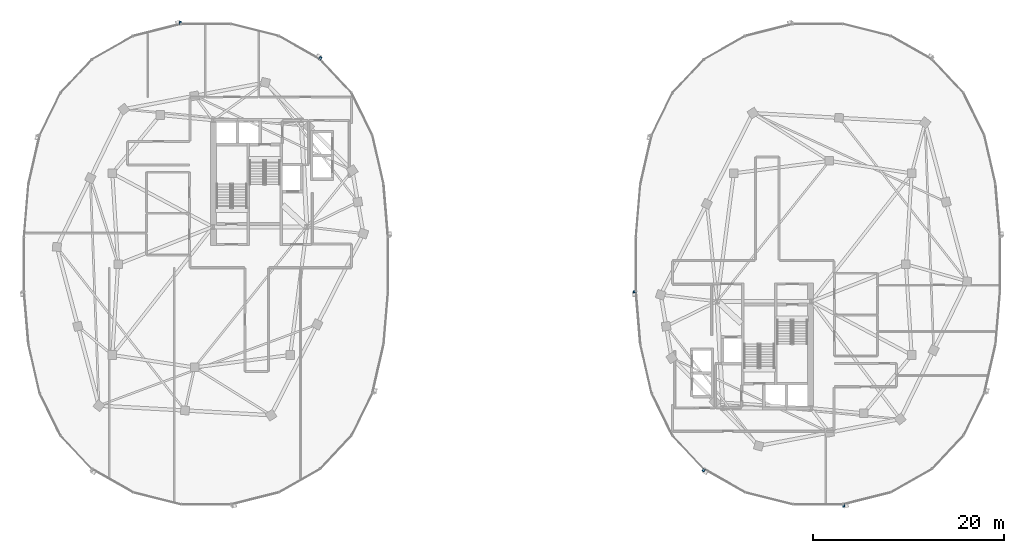
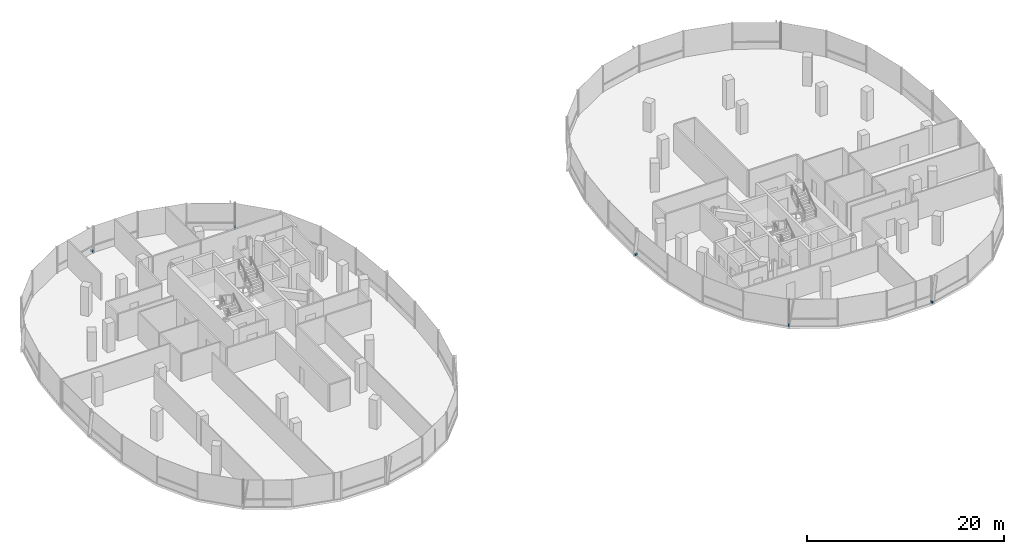
# One storey, part 19 of 25: 5 discrete accessories.
"""IFC4 building model written with IfcOpenShell, lengths in metres."""

from ifc_helpers import new_model, si_unit, direction, frame, origin, origin_2d, place, context, subcontext, project, spatial, rectangle, extrude, material, type_object, element, save


model = new_model("IFC4")

# Units and contexts
model_context = context("Model", 3, precision=1e-05, world=origin(), true_north=direction((0.0, 1.0)))
body_context = subcontext(model_context, "Body", "Model", "MODEL_VIEW")
ifc_project = project(units=[si_unit("LENGTHUNIT", "METRE"), si_unit("AREAUNIT", "SQUARE_METRE"), si_unit("VOLUMEUNIT", "CUBIC_METRE"), si_unit("PLANEANGLEUNIT", "RADIAN"), si_unit("MASSUNIT", "GRAM", prefix="KILO"), si_unit("THERMODYNAMICTEMPERATUREUNIT", "KELVIN"), si_unit("POWERUNIT", "WATT")], contexts=[model_context])

# Site, building, storey
site_placement = place(None, origin())
site = spatial("IfcSite", under=ifc_project, at=site_placement, CompositionType="ELEMENT")
building_placement = place(site_placement, origin())
building = spatial("IfcBuilding", under=site, at=building_placement, Name="Cundina Bronze Exchange", CompositionType="ELEMENT")
storey_placement = place(building_placement, frame((0.0, 0.0, 199.0)))
storey = spatial("IfcBuildingStorey", under=building, at=storey_placement, Name="L52", CompositionType="ELEMENT", Elevation=199.0)

# Discrete accessories
ifc_material = material(Name="Anodised Bronze Aluminium 6063-T6", Category="aluminium")
discrete_accessory_type = type_object("IfcDiscreteAccessoryType", Name="ACC-BRK-FIN", PredefinedType="BRACKET", material=ifc_material)
for number, where, z_axis, x_axis, name in (
    (1, (-20.038818359375, 21.539794921875, 0.10009765625), (0.0, 0.0, 1.0), (-0.869572506985, 0.493805280547, 0.0), "L52 Fin Support Bracket 5"),
    (2, (-34.678955078125, 25.23779296875, 0.10009765625), (0.0, 0.0, 1.0), (-0.969731542251, -0.244173577528, 0.0), "L52 Fin Support Bracket 1"),
    (3, (12.84521484375, -2.893798828125, 0.10009765625), (0.0, 0.0, 1.0), (0.083747411454, -0.996487015006, 0.0), "L52 Fin Support Bracket 1"),
    (4, (20.038818359375, -21.539794921875, 0.10009765625), (0.0, 0.0, 1.0), (0.869572506985, -0.493805280547, 0.0), "L52 Fin Support Bracket 5"),
    (5, (34.678955078125, -25.23779296875, 0.10009765625), (0.0, 0.0, 1.0), (0.969731542251, 0.244173577528, 0.0), "L52 Fin Support Bracket 1"),
):
    element("IfcDiscreteAccessory", number, at=place(storey_placement, frame(where, z_axis=z_axis, x_axis=x_axis)), inside=storey, type_object=discrete_accessory_type, Name=name, PredefinedType="BRACKET", context=body_context, shape_type="SweptSolid", body=[
        extrude(rectangle(XDim=0.219970703125, YDim=0.320068359375, at=origin_2d()), origin(), (0.0, 0.0, 1.0), 0.239990234375),
    ])

save(model, "model.ifc")
